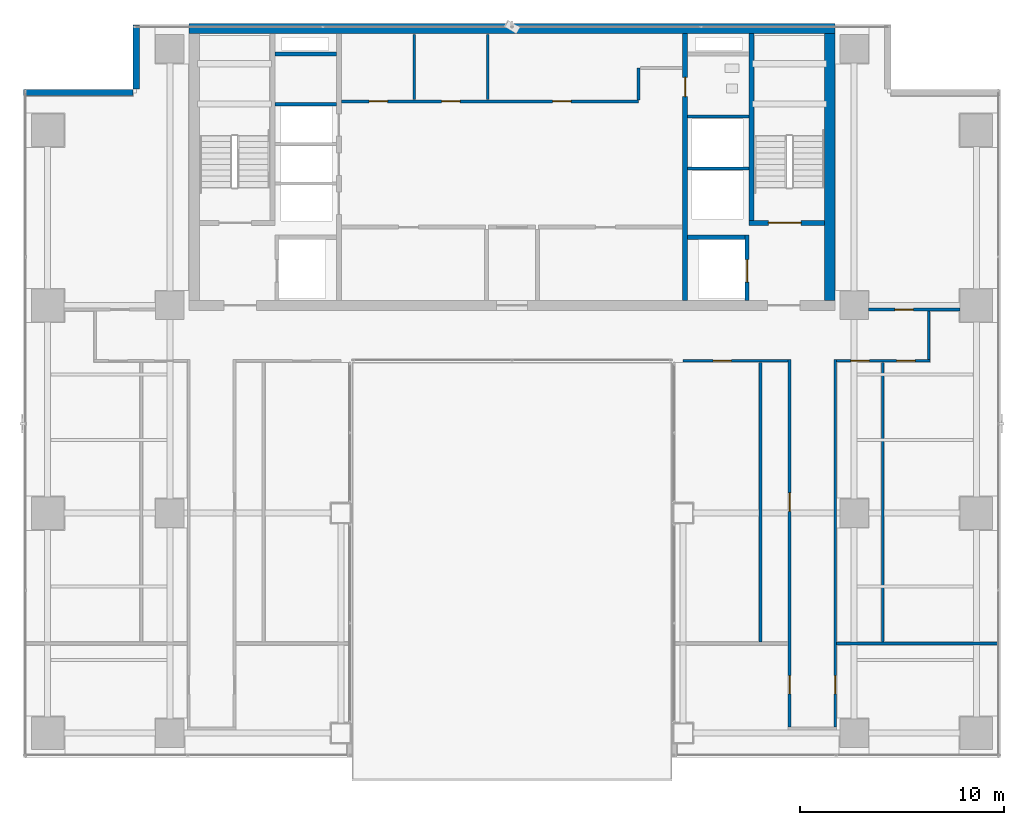
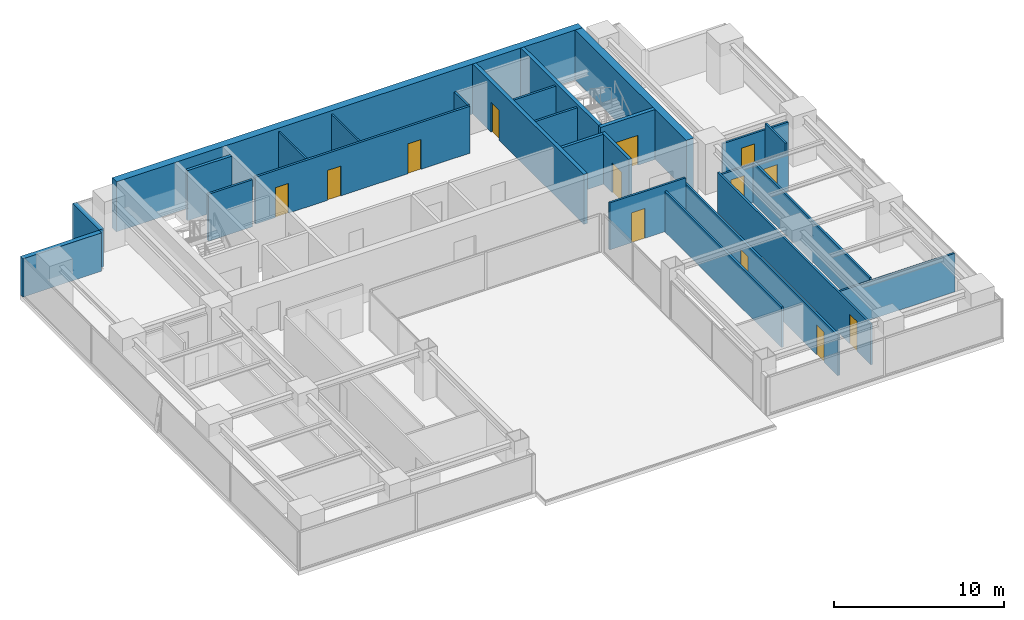
# One storey, part 25 of 30: 26 walls, 13 doors, 13 openings.
"""IFC4 building model written with IfcOpenShell, lengths in metres."""

from ifc_helpers import new_model, si_unit, direction, frame, frame_2d, origin, place, context, subcontext, project, spatial, rectangle, extrude, source, transform, mapped, material, layer, layer_set, type_object, element, fill, save


model = new_model("IFC4")

# Units and contexts
model_context = context("Model", 3, precision=1e-05, world=origin(), true_north=direction((0.0, 1.0)))
body_context = subcontext(model_context, "Body", "Model", "MODEL_VIEW")
ifc_project = project(units=[si_unit("LENGTHUNIT", "METRE"), si_unit("AREAUNIT", "SQUARE_METRE"), si_unit("VOLUMEUNIT", "CUBIC_METRE"), si_unit("PLANEANGLEUNIT", "RADIAN"), si_unit("MASSUNIT", "GRAM", prefix="KILO")], contexts=[model_context])

# Site, building, storey
site_placement = place(None, origin())
site = spatial("IfcSite", under=ifc_project, at=site_placement, CompositionType="ELEMENT")
building_placement = place(site_placement, origin())
building = spatial("IfcBuilding", under=site, at=building_placement, Name="Sumidabori Civic Tower", CompositionType="ELEMENT")
storey_placement = place(building_placement, frame((0.0, 0.0, 196.39990234375)))
storey = spatial("IfcBuildingStorey", under=building, at=storey_placement, Name="L50", CompositionType="ELEMENT", Elevation=196.39990234375)

# Walls
ifc_material_1 = material(Name="Concrete C50/60", Category="concrete")
ifc_layer_1 = layer(ifc_material_1, 0.199951171875, Name="Concrete C50/60")
ifc_layer_set_1 = layer_set([ifc_layer_1], Name="Concrete C50/60")
wall_type_1 = type_object("IfcWallType", Name="WL-SHAFT-200", PredefinedType="SHEAR", material=ifc_layer_set_1)
shared_shape_1 = source(origin(), body_context, "Body", "SweptSolid", [
    extrude(rectangle(XDim=2.824951171875, YDim=0.199951171875, at=frame_2d((1.41259765625, 0.0))), origin(), (0.0, 0.0, 1.0), 3.60009765625),
])
wall_1_placement = place(storey_placement, frame((8.625, 13.550048828125, 0.0), z_axis=(0.0, 0.0, 1.0), x_axis=(1.0, 0.0, 0.0)))
element("IfcWall", 1, at=wall_1_placement, inside=storey, type_object=wall_type_1, Name="Core Shear Wall L50 EL2-N", PredefinedType="SHEAR", context=body_context, shape_type="MappedRepresentation", body=[
    mapped(shared_shape_1, transform((0.0, 0.0, 0.0), x_axis=(1.0, 0.0, 0.0), y_axis=(0.0, 1.0, 0.0), z_axis=(0.0, 0.0, 1.0), scale=1.0)),
])
shared_shape_2 = source(origin(), body_context, "Body", "SweptSolid", [
    extrude(rectangle(XDim=3.02001953125, YDim=0.199951171875, at=frame_2d((1.510009765625, 0.0))), origin(), (0.0, 0.0, 1.0), 3.60009765625),
])
wall_2_placement = place(storey_placement, frame((-11.64501953125, 22.550048828125, 0.0), z_axis=(0.0, 0.0, 1.0), x_axis=(1.0, 0.0, 0.0)))
element("IfcWall", 2, at=wall_2_placement, inside=storey, type_object=wall_type_1, Name="Core Shear Wall L50 RIS1-S", PredefinedType="SHEAR", context=body_context, shape_type="MappedRepresentation", body=[
    mapped(shared_shape_2, transform((0.0, 0.0, 0.0), x_axis=(1.0, 0.0, 0.0), y_axis=(0.0, 1.0, 0.0), z_axis=(0.0, 0.0, 1.0), scale=1.0)),
])
ifc_layer_2 = layer(ifc_material_1, 0.5, Name="Concrete C50/60")
ifc_layer_set_2 = layer_set([ifc_layer_2], Name="Concrete C50/60")
wall_type_2 = type_object("IfcWallType", Name="WL-CORE-500", PredefinedType="SHEAR", material=ifc_layer_set_2)
shared_shape_3 = source(origin(), body_context, "Body", "SweptSolid", [
    extrude(rectangle(XDim=31.7001953125, YDim=0.5, at=frame_2d((15.85009765625, 0.0))), origin(), (0.0, 0.0, 1.0), 3.60009765625),
])
wall_3_placement = place(storey_placement, frame((-15.85009765625, 23.800048828125, 0.0), z_axis=(0.0, 0.0, 1.0), x_axis=(1.0, 0.0, 0.0)))
element("IfcWall", 3, at=wall_3_placement, inside=storey, type_object=wall_type_2, Name="Core Shear Wall L50 N", PredefinedType="SHEAR", context=body_context, shape_type="MappedRepresentation", body=[
    mapped(shared_shape_3, transform((0.0, 0.0, 0.0), x_axis=(1.0, 0.0, 0.0), y_axis=(0.0, 1.0, 0.0), z_axis=(0.0, 0.0, 1.0), scale=1.0)),
])
shared_shape_4 = source(origin(), body_context, "Body", "SweptSolid", [
    extrude(rectangle(XDim=13.10009765625, YDim=0.5, at=frame_2d((6.550048828125, 0.0))), origin(), (0.0, 0.0, 1.0), 3.60009765625),
])
wall_4_placement = place(storey_placement, frame((15.60009765625, 10.449951171875, 0.0), z_axis=(0.0, 0.0, 1.0), x_axis=(0.0, 1.0, 0.0)))
element("IfcWall", 4, at=wall_4_placement, inside=storey, type_object=wall_type_2, Name="Core Shear Wall L50 E", PredefinedType="SHEAR", context=body_context, shape_type="MappedRepresentation", body=[
    mapped(shared_shape_4, transform((0.0, 0.0, 0.0), x_axis=(1.0, 0.0, 0.0), y_axis=(0.0, 1.0, 0.0), z_axis=(0.0, 0.0, 1.0), scale=1.0)),
])

# Wall, opening, door
ifc_layer_3 = layer(ifc_material_1, 0.25, Name="Concrete C50/60")
ifc_layer_set_3 = layer_set([ifc_layer_3], Name="Concrete C50/60")
wall_type_3 = type_object("IfcWallType", Name="WL-SHAFT-250", PredefinedType="SHEAR", material=ifc_layer_set_3)
shared_shape_5 = source(origin(), body_context, "Body", "SweptSolid", [
    extrude(rectangle(XDim=13.10009765625, YDim=0.25, at=frame_2d((6.550048828125, 0.0))), origin(), (0.0, 0.0, 1.0), 3.60009765625),
])
wall_5_placement = place(storey_placement, frame((8.5, 10.449951171875, 0.0), z_axis=(0.0, 0.0, 1.0), x_axis=(0.0, 1.0, 0.0)))
wall_5 = element("IfcWall", 5, at=wall_5_placement, inside=storey, type_object=wall_type_3, Name="Core Shear Wall L50 WEB-E", PredefinedType="SHEAR", context=body_context, shape_type="MappedRepresentation", body=[
    mapped(shared_shape_5, transform((0.0, 0.0, 0.0), x_axis=(1.0, 0.0, 0.0), y_axis=(0.0, 1.0, 0.0), z_axis=(0.0, 0.0, 1.0), scale=1.0)),
])
opening_1_placement = place(wall_5_placement, frame((10.0, 0.0, 0.0)))
opening_1 = element("IfcOpeningElement", 6, at=opening_1_placement, cuts=wall_5, Name="Opening DR-2", PredefinedType="OPENING", context=body_context, shape_type="SweptSolid", body=[
    extrude(rectangle(XDim=0.949951171875, YDim=2.14990234375, at=frame_2d((0.47509765625, 1.074951171875))), frame((0.0, 0.136962890625, 0.0), z_axis=(0.0, -1.0, 0.0), x_axis=(1.0, 0.0, 0.0)), (0.0, 0.0, 1.0), 0.27392578125),
])
ifc_material_2 = material(Name="Japanese Hinoki Timber", Category="wood")
door_type_1 = type_object("IfcDoorType", Name="DR-INT-950", OperationType="NOTDEFINED", PredefinedType="DOOR", material=ifc_material_2)
shared_shape_6 = source(origin(), body_context, "Body", "SweptSolid", [
    extrude(rectangle(XDim=0.949951171875, YDim=2.14990234375, at=frame_2d((0.47509765625, 1.074951171875))), frame((0.0, 0.02490234375, 0.0), z_axis=(0.0, -1.0, 0.0), x_axis=(1.0, 0.0, 0.0)), (0.0, 0.0, 1.0), 0.050048828125),
])
door_1_placement = place(opening_1_placement, origin())
door_1 = element("IfcDoor", 7, at=door_1_placement, inside=storey, type_object=door_type_1, Name="Door DR:L50:WC-ACC", OperationType="SINGLE_SWING_RIGHT", OverallHeight=2.14990234375, OverallWidth=0.949951171875, PredefinedType="DOOR", context=body_context, shape_type="MappedRepresentation", body=[
    mapped(shared_shape_6, transform((0.0, 0.0, 0.0), x_axis=(1.0, 0.0, 0.0), y_axis=(0.0, 1.0, 0.0), z_axis=(0.0, 0.0, 1.0), scale=1.0)),
])
fill(opening_1, door_1)

shared_shape_7 = source(origin(), body_context, "Body", "SweptSolid", [
    extrude(rectangle(XDim=3.705078125, YDim=0.25, at=frame_2d((1.8525390625, 0.0))), origin(), (0.0, 0.0, 1.0), 3.60009765625),
])
wall_6_placement = place(storey_placement, frame((11.64501953125, 14.25, 0.0), z_axis=(0.0, 0.0, 1.0), x_axis=(1.0, 0.0, 0.0)))
wall_6 = element("IfcWall", 8, at=wall_6_placement, inside=storey, type_object=wall_type_3, Name="Core Shear Wall L50 ST2-S", PredefinedType="SHEAR", context=body_context, shape_type="MappedRepresentation", body=[
    mapped(shared_shape_7, transform((0.0, 0.0, 0.0), x_axis=(1.0, 0.0, 0.0), y_axis=(0.0, 1.0, 0.0), z_axis=(0.0, 0.0, 1.0), scale=1.0)),
])
opening_2_placement = place(wall_6_placement, frame((0.949951171875, 0.0, 0.0)))
opening_2 = element("IfcOpeningElement", 9, at=opening_2_placement, cuts=wall_6, Name="Opening DR-FD4", PredefinedType="OPENING", context=body_context, shape_type="SweptSolid", body=[
    extrude(rectangle(XDim=1.60009765625, YDim=2.14990234375, at=frame_2d((0.800048828125, 1.074951171875))), frame((0.0, 0.136962890625, 0.0), z_axis=(0.0, -1.0, 0.0), x_axis=(1.0, 0.0, 0.0)), (0.0, 0.0, 1.0), 0.27392578125),
])
ifc_material_3 = material(Name="Steel SN490", Category="steel")
door_type_2 = type_object("IfcDoorType", Name="DR-FD4", OperationType="DOUBLE_DOOR_SINGLE_SWING", PredefinedType="DOOR", material=ifc_material_3)
shared_shape_8 = source(origin(), body_context, "Body", "SweptSolid", [
    extrude(rectangle(XDim=1.60009765625, YDim=2.14990234375, at=frame_2d((0.800048828125, 1.074951171875))), frame((0.0, 0.02490234375, 0.0), z_axis=(0.0, -1.0, 0.0), x_axis=(1.0, 0.0, 0.0)), (0.0, 0.0, 1.0), 0.050048828125),
])
door_2_placement = place(opening_2_placement, origin())
door_2 = element("IfcDoor", 10, at=door_2_placement, inside=storey, type_object=door_type_2, Name="Door DR:L50:ST2", OperationType="DOUBLE_DOOR_SINGLE_SWING", OverallHeight=2.14990234375, OverallWidth=1.60009765625, PredefinedType="DOOR", context=body_context, shape_type="MappedRepresentation", body=[
    mapped(shared_shape_8, transform((0.0, 0.0, 0.0), x_axis=(1.0, 0.0, 0.0), y_axis=(0.0, 1.0, 0.0), z_axis=(0.0, 0.0, 1.0), scale=1.0)),
])
fill(opening_2, door_2)

# Wall
shared_shape_9 = source(origin(), body_context, "Body", "SweptSolid", [
    extrude(rectangle(XDim=9.175048828125, YDim=0.25, at=frame_2d((4.58740234375, 0.0))), origin(), (0.0, 0.0, 1.0), 3.60009765625),
])
wall_7_placement = place(storey_placement, frame((11.77001953125, 14.375, 0.0), z_axis=(0.0, 0.0, 1.0), x_axis=(0.0, 1.0, 0.0)))
element("IfcWall", 11, at=wall_7_placement, inside=storey, type_object=wall_type_3, Name="Core Shear Wall L50 ST2-W", PredefinedType="SHEAR", context=body_context, shape_type="MappedRepresentation", body=[
    mapped(shared_shape_9, transform((0.0, 0.0, 0.0), x_axis=(1.0, 0.0, 0.0), y_axis=(0.0, 1.0, 0.0), z_axis=(0.0, 0.0, 1.0), scale=1.0)),
])

# Wall, opening, door
shared_shape_10 = source(origin(), body_context, "Body", "SweptSolid", [
    extrude(rectangle(XDim=3.199951171875, YDim=0.199951171875, at=frame_2d((1.60009765625, 0.0))), origin(), (0.0, 0.0, 1.0), 3.60009765625),
])
wall_8_placement = place(storey_placement, frame((11.550048828125, 10.449951171875, 0.0), z_axis=(0.0, 0.0, 1.0), x_axis=(0.0, 1.0, 0.0)))
wall_8 = element("IfcWall", 12, at=wall_8_placement, inside=storey, type_object=wall_type_1, Name="Core Shear Wall L50 EL2-E", PredefinedType="SHEAR", context=body_context, shape_type="MappedRepresentation", body=[
    mapped(shared_shape_10, transform((0.0, 0.0, 0.0), x_axis=(1.0, 0.0, 0.0), y_axis=(0.0, 1.0, 0.0), z_axis=(0.0, 0.0, 1.0), scale=1.0)),
])
opening_3_placement = place(wall_8_placement, frame((0.89990234375, 0.0, 0.0)))
opening_3 = element("IfcOpeningElement", 13, at=opening_3_placement, cuts=wall_8, Name="Opening LD-2", PredefinedType="OPENING", context=body_context, shape_type="SweptSolid", body=[
    extrude(rectangle(XDim=1.10009765625, YDim=2.14990234375, at=frame_2d((0.550048828125, 1.074951171875))), frame((0.0, 0.11181640625, 0.0), z_axis=(0.0, -1.0, 0.0), x_axis=(1.0, 0.0, 0.0)), (0.0, 0.0, 1.0), 0.223876953125),
])
ifc_material_4 = material(Name="Stainless Steel Hairline Finish", Category="steel")
door_type_3 = type_object("IfcDoorType", Name="DR-LD2", OperationType="DOUBLE_DOOR_SLIDING", PredefinedType="DOOR", material=ifc_material_4)
shared_shape_11 = source(origin(), body_context, "Body", "SweptSolid", [
    extrude(rectangle(XDim=1.10009765625, YDim=2.14990234375, at=frame_2d((0.550048828125, 1.074951171875))), frame((0.0, 0.02490234375, 0.0), z_axis=(0.0, -1.0, 0.0), x_axis=(1.0, 0.0, 0.0)), (0.0, 0.0, 1.0), 0.050048828125),
])
door_3_placement = place(opening_3_placement, origin())
door_3 = element("IfcDoor", 14, at=door_3_placement, inside=storey, type_object=door_type_3, Name="Door DR:L50:LD-EL2", OperationType="DOUBLE_DOOR_SLIDING", OverallHeight=2.14990234375, OverallWidth=1.10009765625, PredefinedType="DOOR", context=body_context, shape_type="MappedRepresentation", body=[
    mapped(shared_shape_11, transform((0.0, 0.0, 0.0), x_axis=(1.0, 0.0, 0.0), y_axis=(0.0, 1.0, 0.0), z_axis=(0.0, 0.0, 1.0), scale=1.0)),
])
fill(opening_3, door_3)

# Walls
ifc_material_5 = material(Name="Precast concrete C40/50", Category="concrete")
ifc_layer_4 = layer(ifc_material_5, 0.300048828125, Name="Precast concrete C40/50")
ifc_layer_set_4 = layer_set([ifc_layer_4], Name="Precast concrete C40/50")
wall_type_4 = type_object("IfcWallType", Name="WL-EXT-POD300", PredefinedType="STANDARD", material=ifc_layer_set_4)
shared_shape_12 = source(origin(), body_context, "Body", "SweptSolid", [
    extrude(rectangle(XDim=5.35986328125, YDim=0.300048828125, at=frame_2d((2.679931640625, 0.0))), origin(), (0.0, 0.0, 1.0), 2.760009765625),
])
wall_9_placement = place(storey_placement, frame((-18.6201171875, 20.64990234375, 0.0), z_axis=(0.0, 0.0, 1.0), x_axis=(-1.0, 0.0, 0.0)))
element("IfcWall", 15, at=wall_9_placement, inside=storey, type_object=wall_type_4, Name="Notched Corner Spandrel Band L50-15", PredefinedType="STANDARD", context=body_context, shape_type="MappedRepresentation", body=[
    mapped(shared_shape_12, transform((0.0, 0.0, 0.0), x_axis=(1.0, 0.0, 0.0), y_axis=(0.0, 1.0, 0.0), z_axis=(0.0, 0.0, 1.0), scale=1.0)),
])
shared_shape_13 = source(origin(), body_context, "Body", "SweptSolid", [
    extrude(rectangle(XDim=3.159912109375, YDim=0.300048828125, at=frame_2d((1.580078125, 0.0))), origin(), (0.0, 0.0, 1.0), 2.760009765625),
])
wall_10_placement = place(storey_placement, frame((-18.449951171875, 23.97998046875, 0.0), z_axis=(0.0, 0.0, 1.0), x_axis=(0.0, -1.0, 0.0)))
element("IfcWall", 16, at=wall_10_placement, inside=storey, type_object=wall_type_4, Name="Notched Corner Spandrel Band L50-14", PredefinedType="STANDARD", context=body_context, shape_type="MappedRepresentation", body=[
    mapped(shared_shape_13, transform((0.0, 0.0, 0.0), x_axis=(1.0, 0.0, 0.0), y_axis=(0.0, 1.0, 0.0), z_axis=(0.0, 0.0, 1.0), scale=1.0)),
])
ifc_material_6 = material(Name="Gypsum Plasterboard Acoustic Partition")
ifc_layer_5 = layer(ifc_material_6, 0.14990234375, Name="Gypsum Plasterboard Acoustic Partition")
ifc_layer_set_5 = layer_set([ifc_layer_5], Name="Gypsum Plasterboard Acoustic Partition")
wall_type_5 = type_object("IfcWallType", Name="WL-PART-150", PredefinedType="PARTITIONING", material=ifc_layer_set_5)
shared_shape_14 = source(origin(), body_context, "Body", "SweptSolid", [
    extrude(rectangle(XDim=3.010009765625, YDim=0.14990234375, at=frame_2d((1.5048828125, 0.0))), origin(), (0.0, 0.0, 1.0), 3.380126953125),
])
for number, where, z_axis, x_axis, name in (
    (17, (-11.639892578125, 20.080078125, 0.0), (0.0, 0.0, 1.0), (1.0, 0.0, 0.0), "Interior Partition WL:L50:DIV-PLH3"),
    (18, (8.6298828125, 16.919921875, 0.0), (0.0, 0.0, 1.0), (1.0, 0.0, 0.0), "Interior Partition WL:L50:DIV-OBS1"),
    (19, (8.6298828125, 19.469970703125, 0.0), (0.0, 0.0, 1.0), (1.0, 0.0, 0.0), "Interior Partition WL:L50:DIV-OBS2"),
):
    element("IfcWall", number, at=place(storey_placement, frame(where, z_axis=z_axis, x_axis=x_axis)), inside=storey, type_object=wall_type_5, Name=name, PredefinedType="PARTITIONING", context=body_context, shape_type="MappedRepresentation", body=[
        mapped(shared_shape_14, transform((0.0, 0.0, 0.0), x_axis=(1.0, 0.0, 0.0), y_axis=(0.0, 1.0, 0.0), z_axis=(0.0, 0.0, 1.0), scale=1.0)),
    ])

# Wall, openings, doors
shared_shape_15 = source(origin(), body_context, "Body", "SweptSolid", [
    extrude(rectangle(XDim=14.590087890625, YDim=0.14990234375, at=frame_2d((7.294921875, 0.0))), origin(), (0.0, 0.0, 1.0), 3.380126953125),
])
wall_11_placement = place(storey_placement, frame((-8.3701171875, 20.219970703125, 0.0), z_axis=(0.0, 0.0, 1.0), x_axis=(1.0, 0.0, 0.0)))
wall_11 = element("IfcWall", 20, at=wall_11_placement, inside=storey, type_object=wall_type_5, Name="Interior Partition WL:L50:CBAND-M", PredefinedType="PARTITIONING", context=body_context, shape_type="MappedRepresentation", body=[
    mapped(shared_shape_15, transform((0.0, 0.0, 0.0), x_axis=(1.0, 0.0, 0.0), y_axis=(0.0, 1.0, 0.0), z_axis=(0.0, 0.0, 1.0), scale=1.0)),
])
opening_4_placement = place(wall_11_placement, frame((1.360107421875, 0.0, 0.0)))
opening_4 = element("IfcOpeningElement", 21, at=opening_4_placement, cuts=wall_11, Name="Opening DR-1", PredefinedType="OPENING", context=body_context, shape_type="SweptSolid", body=[
    extrude(rectangle(XDim=0.89990234375, YDim=2.14990234375, at=frame_2d((0.449951171875, 1.074951171875))), frame((0.0, 0.0869140625, 0.0), z_axis=(0.0, -1.0, 0.0), x_axis=(1.0, 0.0, 0.0)), (0.0, 0.0, 1.0), 0.173828125),
])
opening_5_placement = place(wall_11_placement, frame((4.919921875, 0.0, 0.0)))
opening_5 = element("IfcOpeningElement", 22, at=opening_5_placement, cuts=wall_11, Name="Opening DR-1", PredefinedType="OPENING", context=body_context, shape_type="SweptSolid", body=[
    extrude(rectangle(XDim=0.89990234375, YDim=2.14990234375, at=frame_2d((0.449951171875, 1.074951171875))), frame((0.0, 0.0869140625, 0.0), z_axis=(0.0, -1.0, 0.0), x_axis=(1.0, 0.0, 0.0)), (0.0, 0.0, 1.0), 0.173828125),
])
opening_6_placement = place(wall_11_placement, frame((10.3701171875, 0.0, 0.0)))
opening_6 = element("IfcOpeningElement", 23, at=opening_6_placement, cuts=wall_11, Name="Opening DR-1", PredefinedType="OPENING", context=body_context, shape_type="SweptSolid", body=[
    extrude(rectangle(XDim=0.89990234375, YDim=2.14990234375, at=frame_2d((0.449951171875, 1.074951171875))), frame((0.0, 0.0869140625, 0.0), z_axis=(0.0, -1.0, 0.0), x_axis=(1.0, 0.0, 0.0)), (0.0, 0.0, 1.0), 0.173828125),
])
door_type_4 = type_object("IfcDoorType", Name="DR-INT-900", OperationType="NOTDEFINED", PredefinedType="DOOR", material=ifc_material_2)
shared_shape_16 = source(origin(), body_context, "Body", "SweptSolid", [
    extrude(rectangle(XDim=0.89990234375, YDim=2.14990234375, at=frame_2d((0.449951171875, 1.074951171875))), frame((0.0, 0.02490234375, 0.0), z_axis=(0.0, -1.0, 0.0), x_axis=(1.0, 0.0, 0.0)), (0.0, 0.0, 1.0), 0.050048828125),
])
door_4_placement = place(opening_4_placement, origin())
door_4 = element("IfcDoor", 24, at=door_4_placement, inside=storey, type_object=door_type_4, Name="Door DR:L50:CB-1", OperationType="SINGLE_SWING_LEFT", OverallHeight=2.14990234375, OverallWidth=0.89990234375, PredefinedType="DOOR", context=body_context, shape_type="MappedRepresentation", body=[
    mapped(shared_shape_16, transform((0.0, 0.0, 0.0), x_axis=(1.0, 0.0, 0.0), y_axis=(0.0, 1.0, 0.0), z_axis=(0.0, 0.0, 1.0), scale=1.0)),
])
fill(opening_4, door_4)
door_5_placement = place(opening_5_placement, origin())
door_5 = element("IfcDoor", 25, at=door_5_placement, inside=storey, type_object=door_type_4, Name="Door DR:L50:CB-2", OperationType="SINGLE_SWING_RIGHT", OverallHeight=2.14990234375, OverallWidth=0.89990234375, PredefinedType="DOOR", context=body_context, shape_type="MappedRepresentation", body=[
    mapped(shared_shape_16, transform((0.0, 0.0, 0.0), x_axis=(1.0, 0.0, 0.0), y_axis=(0.0, 1.0, 0.0), z_axis=(0.0, 0.0, 1.0), scale=1.0)),
])
fill(opening_5, door_5)
door_6_placement = place(opening_6_placement, origin())
door_6 = element("IfcDoor", 26, at=door_6_placement, inside=storey, type_object=door_type_4, Name="Door DR:L50:CB-3", OperationType="SINGLE_SWING_LEFT", OverallHeight=2.14990234375, OverallWidth=0.89990234375, PredefinedType="DOOR", context=body_context, shape_type="MappedRepresentation", body=[
    mapped(shared_shape_16, transform((0.0, 0.0, 0.0), x_axis=(1.0, 0.0, 0.0), y_axis=(0.0, 1.0, 0.0), z_axis=(0.0, 0.0, 1.0), scale=1.0)),
])
fill(opening_6, door_6)

# Walls
shared_shape_17 = source(origin(), body_context, "Body", "SweptSolid", [
    extrude(rectangle(XDim=1.550048828125, YDim=0.14990234375, at=frame_2d((0.77490234375, 0.0))), origin(), (0.0, 0.0, 1.0), 3.380126953125),
])
wall_12_placement = place(storey_placement, frame((6.219970703125, 20.300048828125, 0.0), z_axis=(0.0, 0.0, 1.0), x_axis=(0.0, 1.0, 0.0)))
element("IfcWall", 27, at=wall_12_placement, inside=storey, type_object=wall_type_5, Name="Interior Partition WL:L50:CBAND-ME1", PredefinedType="PARTITIONING", context=body_context, shape_type="MappedRepresentation", body=[
    mapped(shared_shape_17, transform((0.0, 0.0, 0.0), x_axis=(1.0, 0.0, 0.0), y_axis=(0.0, 1.0, 0.0), z_axis=(0.0, 0.0, 1.0), scale=1.0)),
])
ifc_layer_6 = layer(ifc_material_6, 0.1201171875, Name="Gypsum Plasterboard Acoustic Partition")
ifc_layer_set_6 = layer_set([ifc_layer_6], Name="Gypsum Plasterboard Acoustic Partition")
wall_type_6 = type_object("IfcWallType", Name="WL-PART-120", PredefinedType="PARTITIONING", material=ifc_layer_set_6)
shared_shape_18 = source(origin(), body_context, "Body", "SweptSolid", [
    extrude(rectangle(XDim=3.18994140625, YDim=0.1201171875, at=frame_2d((1.594970703125, 0.0))), origin(), (0.0, 0.0, 1.0), 3.380126953125),
])
for number, where, z_axis, x_axis, name in (
    (28, (-4.800048828125, 20.320068359375, 0.0), (0.0, 0.0, 1.0), (0.0, 1.0, 0.0), "Interior Partition WL:L50:LV8-S1"),
    (29, (-1.199951171875, 20.320068359375, 0.0), (0.0, 0.0, 1.0), (0.0, 1.0, 0.0), "Interior Partition WL:L50:LV8-S2"),
):
    element("IfcWall", number, at=place(storey_placement, frame(where, z_axis=z_axis, x_axis=x_axis)), inside=storey, type_object=wall_type_6, Name=name, PredefinedType="PARTITIONING", context=body_context, shape_type="MappedRepresentation", body=[
        mapped(shared_shape_18, transform((0.0, 0.0, 0.0), x_axis=(1.0, 0.0, 0.0), y_axis=(0.0, 1.0, 0.0), z_axis=(0.0, 0.0, 1.0), scale=1.0)),
    ])

# Wall, opening, door
ifc_layer_7 = layer(ifc_material_6, 0.135009765625, Name="Gypsum Plasterboard Acoustic Partition")
ifc_layer_set_7 = layer_set([ifc_layer_7], Name="Gypsum Plasterboard Acoustic Partition")
wall_type_7 = type_object("IfcWallType", Name="WL-PART-135", PredefinedType="PARTITIONING", material=ifc_layer_set_7)
shared_shape_19 = source(origin(), body_context, "Body", "SweptSolid", [
    extrude(rectangle(XDim=4.47998046875, YDim=0.135009765625, at=frame_2d((2.239990234375, 0.0))), origin(), (0.0, 0.0, 1.0), 2.9150390625),
])
wall_13_placement = place(storey_placement, frame((17.510009765625, 10.0, 0.0), z_axis=(0.0, 0.0, 1.0), x_axis=(1.0, 0.0, 0.0)))
wall_13 = element("IfcWall", 30, at=wall_13_placement, inside=storey, type_object=wall_type_7, Name="Interior Partition WL:L50:FLK-NE", PredefinedType="PARTITIONING", context=body_context, shape_type="MappedRepresentation", body=[
    mapped(shared_shape_19, transform((0.0, 0.0, 0.0), x_axis=(1.0, 0.0, 0.0), y_axis=(0.0, 1.0, 0.0), z_axis=(0.0, 0.0, 1.0), scale=1.0)),
])
opening_7_placement = place(wall_13_placement, frame((1.294921875, 0.0, 0.0)))
opening_7 = element("IfcOpeningElement", 31, at=opening_7_placement, cuts=wall_13, Name="Opening DR-1", PredefinedType="OPENING", context=body_context, shape_type="SweptSolid", body=[
    extrude(rectangle(XDim=0.89990234375, YDim=2.14990234375, at=frame_2d((0.449951171875, 1.074951171875))), frame((0.0, 0.07958984375, 0.0), z_axis=(0.0, -1.0, 0.0), x_axis=(1.0, 0.0, 0.0)), (0.0, 0.0, 1.0), 0.158935546875),
])
door_7_placement = place(opening_7_placement, origin())
door_7 = element("IfcDoor", 32, at=door_7_placement, inside=storey, type_object=door_type_4, Name="Door DR:L50:FLK-NE", OperationType="SINGLE_SWING_RIGHT", OverallHeight=2.14990234375, OverallWidth=0.89990234375, PredefinedType="DOOR", context=body_context, shape_type="MappedRepresentation", body=[
    mapped(shared_shape_16, transform((0.0, 0.0, 0.0), x_axis=(1.0, 0.0, 0.0), y_axis=(0.0, 1.0, 0.0), z_axis=(0.0, 0.0, 1.0), scale=1.0)),
])
fill(opening_7, door_7)

# Wall, openings, doors
shared_shape_20 = source(origin(), body_context, "Body", "SweptSolid", [
    extrude(rectangle(XDim=4.599853515625, YDim=0.135009765625, at=frame_2d((2.2998046875, 0.0))), origin(), (0.0, 0.0, 1.0), 2.76513671875),
])
wall_14_placement = place(storey_placement, frame((15.93505859375, 7.482421875, 0.0), z_axis=(0.0, 0.0, 1.0), x_axis=(1.0, 0.0, 0.0)))
wall_14 = element("IfcWall", 33, at=wall_14_placement, inside=storey, type_object=wall_type_7, Name="Interior Partition WL:L50:CORR-SEO", PredefinedType="PARTITIONING", context=body_context, shape_type="MappedRepresentation", body=[
    mapped(shared_shape_20, transform((0.0, 0.0, 0.0), x_axis=(1.0, 0.0, 0.0), y_axis=(0.0, 1.0, 0.0), z_axis=(0.0, 0.0, 1.0), scale=1.0)),
])
opening_8_placement = place(wall_14_placement, frame((2.956298828125, 0.0, 0.0)))
opening_8 = element("IfcOpeningElement", 34, at=opening_8_placement, cuts=wall_14, Name="Opening DR-1", PredefinedType="OPENING", context=body_context, shape_type="SweptSolid", body=[
    extrude(rectangle(XDim=0.89990234375, YDim=2.14990234375, at=frame_2d((0.449951171875, 1.074951171875))), frame((0.0, 0.07958984375, 0.0), z_axis=(0.0, -1.0, 0.0), x_axis=(1.0, 0.0, 0.0)), (0.0, 0.0, 1.0), 0.158935546875),
])
opening_9_placement = place(wall_14_placement, frame((0.708740234375, 0.0, 0.0)))
opening_9 = element("IfcOpeningElement", 35, at=opening_9_placement, cuts=wall_14, Name="Opening DR-1", PredefinedType="OPENING", context=body_context, shape_type="SweptSolid", body=[
    extrude(rectangle(XDim=0.89990234375, YDim=2.14990234375, at=frame_2d((0.449951171875, 1.074951171875))), frame((0.0, 0.07958984375, 0.0), z_axis=(0.0, -1.0, 0.0), x_axis=(1.0, 0.0, 0.0)), (0.0, 0.0, 1.0), 0.158935546875),
])
door_8_placement = place(opening_8_placement, origin())
door_8 = element("IfcDoor", 36, at=door_8_placement, inside=storey, type_object=door_type_4, Name="Door DR:L50:D04", OperationType="SINGLE_SWING_RIGHT", OverallHeight=2.14990234375, OverallWidth=0.89990234375, PredefinedType="DOOR", context=body_context, shape_type="MappedRepresentation", body=[
    mapped(shared_shape_16, transform((0.0, 0.0, 0.0), x_axis=(1.0, 0.0, 0.0), y_axis=(0.0, 1.0, 0.0), z_axis=(0.0, 0.0, 1.0), scale=1.0)),
])
fill(opening_8, door_8)
door_9_placement = place(opening_9_placement, origin())
door_9 = element("IfcDoor", 37, at=door_9_placement, inside=storey, type_object=door_type_4, Name="Door DR:L50:D08", OperationType="SINGLE_SWING_RIGHT", OverallHeight=2.14990234375, OverallWidth=0.89990234375, PredefinedType="DOOR", context=body_context, shape_type="MappedRepresentation", body=[
    mapped(shared_shape_16, transform((0.0, 0.0, 0.0), x_axis=(1.0, 0.0, 0.0), y_axis=(0.0, 1.0, 0.0), z_axis=(0.0, 0.0, 1.0), scale=1.0)),
])
fill(opening_9, door_9)

# Wall, opening, door
shared_shape_21 = source(origin(), body_context, "Body", "SweptSolid", [
    extrude(rectangle(XDim=5.1650390625, YDim=0.135009765625, at=frame_2d((2.58251953125, 0.0))), origin(), (0.0, 0.0, 1.0), 3.380126953125),
])
wall_15_placement = place(storey_placement, frame((8.39990234375, 7.482421875, 0.0), z_axis=(0.0, 0.0, 1.0), x_axis=(1.0, 0.0, 0.0)))
wall_15 = element("IfcWall", 38, at=wall_15_placement, inside=storey, type_object=wall_type_7, Name="Interior Partition WL:L50:CORR-SEI", PredefinedType="PARTITIONING", context=body_context, shape_type="MappedRepresentation", body=[
    mapped(shared_shape_21, transform((0.0, 0.0, 0.0), x_axis=(1.0, 0.0, 0.0), y_axis=(0.0, 1.0, 0.0), z_axis=(0.0, 0.0, 1.0), scale=1.0)),
])
opening_10_placement = place(wall_15_placement, frame((1.476318359375, 0.0, 0.0)))
opening_10 = element("IfcOpeningElement", 39, at=opening_10_placement, cuts=wall_15, Name="Opening DR-1", PredefinedType="OPENING", context=body_context, shape_type="SweptSolid", body=[
    extrude(rectangle(XDim=0.89990234375, YDim=2.14990234375, at=frame_2d((0.449951171875, 1.074951171875))), frame((0.0, 0.07958984375, 0.0), z_axis=(0.0, -1.0, 0.0), x_axis=(1.0, 0.0, 0.0)), (0.0, 0.0, 1.0), 0.158935546875),
])
door_10_placement = place(opening_10_placement, origin())
door_10 = element("IfcDoor", 40, at=door_10_placement, inside=storey, type_object=door_type_4, Name="Door DR:L50:D07", OperationType="SINGLE_SWING_LEFT", OverallHeight=2.14990234375, OverallWidth=0.89990234375, PredefinedType="DOOR", context=body_context, shape_type="MappedRepresentation", body=[
    mapped(shared_shape_16, transform((0.0, 0.0, 0.0), x_axis=(1.0, 0.0, 0.0), y_axis=(0.0, 1.0, 0.0), z_axis=(0.0, 0.0, 1.0), scale=1.0)),
])
fill(opening_10, door_10)

# Wall
shared_shape_22 = source(origin(), body_context, "Body", "SweptSolid", [
    extrude(rectangle(XDim=2.37255859375, YDim=0.135009765625, at=frame_2d((1.186279296875, 0.0))), origin(), (0.0, 0.0, 1.0), 3.380126953125),
])
wall_16_placement = place(storey_placement, frame((20.467529296875, 7.554931640625, 0.0), z_axis=(0.0, 0.0, 1.0), x_axis=(0.0, 1.0, 0.0)))
element("IfcWall", 41, at=wall_16_placement, inside=storey, type_object=wall_type_7, Name="Interior Partition WL:L50:CORR-VNE", PredefinedType="PARTITIONING", context=body_context, shape_type="MappedRepresentation", body=[
    mapped(shared_shape_22, transform((0.0, 0.0, 0.0), x_axis=(1.0, 0.0, 0.0), y_axis=(0.0, 1.0, 0.0), z_axis=(0.0, 0.0, 1.0), scale=1.0)),
])

# Wall, openings, doors
shared_shape_23 = source(origin(), body_context, "Body", "SweptSolid", [
    extrude(rectangle(XDim=18.045166015625, YDim=0.135009765625, at=frame_2d((9.0224609375, 0.0))), origin(), (0.0, 0.0, 1.0), 2.9150390625),
])
wall_17_placement = place(storey_placement, frame((13.632568359375, -10.4951171875, 0.0), z_axis=(0.0, 0.0, 1.0), x_axis=(0.0, 1.0, 0.0)))
wall_17 = element("IfcWall", 42, at=wall_17_placement, inside=storey, type_object=wall_type_7, Name="Interior Partition WL:L50:CORR-VPE-I", PredefinedType="PARTITIONING", context=body_context, shape_type="MappedRepresentation", body=[
    mapped(shared_shape_23, transform((0.0, 0.0, 0.0), x_axis=(1.0, 0.0, 0.0), y_axis=(0.0, 1.0, 0.0), z_axis=(0.0, 0.0, 1.0), scale=1.0)),
])
opening_11_placement = place(wall_17_placement, frame((10.586181640625, 0.0, 0.0)))
opening_11 = element("IfcOpeningElement", 43, at=opening_11_placement, cuts=wall_17, Name="Opening DR-1", PredefinedType="OPENING", context=body_context, shape_type="SweptSolid", body=[
    extrude(rectangle(XDim=0.89990234375, YDim=2.14990234375, at=frame_2d((0.449951171875, 1.074951171875))), frame((0.0, 0.07958984375, 0.0), z_axis=(0.0, -1.0, 0.0), x_axis=(1.0, 0.0, 0.0)), (0.0, 0.0, 1.0), 0.158935546875),
])
opening_12_placement = place(wall_17_placement, frame((1.623779296875, 0.0, 0.0)))
opening_12 = element("IfcOpeningElement", 44, at=opening_12_placement, cuts=wall_17, Name="Opening DR-1", PredefinedType="OPENING", context=body_context, shape_type="SweptSolid", body=[
    extrude(rectangle(XDim=0.89990234375, YDim=2.14990234375, at=frame_2d((0.449951171875, 1.074951171875))), frame((0.0, 0.07958984375, 0.0), z_axis=(0.0, -1.0, 0.0), x_axis=(1.0, 0.0, 0.0)), (0.0, 0.0, 1.0), 0.158935546875),
])
door_11_placement = place(opening_11_placement, origin())
door_11 = element("IfcDoor", 45, at=door_11_placement, inside=storey, type_object=door_type_4, Name="Door DR:L50:D10", OperationType="SINGLE_SWING_RIGHT", OverallHeight=2.14990234375, OverallWidth=0.89990234375, PredefinedType="DOOR", context=body_context, shape_type="MappedRepresentation", body=[
    mapped(shared_shape_16, transform((0.0, 0.0, 0.0), x_axis=(1.0, 0.0, 0.0), y_axis=(0.0, 1.0, 0.0), z_axis=(0.0, 0.0, 1.0), scale=1.0)),
])
fill(opening_11, door_11)
door_12_placement = place(opening_12_placement, origin())
door_12 = element("IfcDoor", 46, at=door_12_placement, inside=storey, type_object=door_type_4, Name="Door DR:L50:D14", OperationType="SINGLE_SWING_RIGHT", OverallHeight=2.14990234375, OverallWidth=0.89990234375, PredefinedType="DOOR", context=body_context, shape_type="MappedRepresentation", body=[
    mapped(shared_shape_16, transform((0.0, 0.0, 0.0), x_axis=(1.0, 0.0, 0.0), y_axis=(0.0, 1.0, 0.0), z_axis=(0.0, 0.0, 1.0), scale=1.0)),
])
fill(opening_12, door_12)

# Wall, opening, door
wall_18_placement = place(storey_placement, frame((15.867431640625, -10.4951171875, 0.0), z_axis=(0.0, 0.0, 1.0), x_axis=(0.0, 1.0, 0.0)))
wall_18 = element("IfcWall", 47, at=wall_18_placement, inside=storey, type_object=wall_type_7, Name="Interior Partition WL:L50:CORR-VPE-O", PredefinedType="PARTITIONING", context=body_context, shape_type="MappedRepresentation", body=[
    mapped(shared_shape_23, transform((0.0, 0.0, 0.0), x_axis=(1.0, 0.0, 0.0), y_axis=(0.0, 1.0, 0.0), z_axis=(0.0, 0.0, 1.0), scale=1.0)),
])
opening_13_placement = place(wall_18_placement, frame((1.623779296875, 0.0, 0.0)))
opening_13 = element("IfcOpeningElement", 48, at=opening_13_placement, cuts=wall_18, Name="Opening DR-1", PredefinedType="OPENING", context=body_context, shape_type="SweptSolid", body=[
    extrude(rectangle(XDim=0.89990234375, YDim=2.14990234375, at=frame_2d((0.449951171875, 1.074951171875))), frame((0.0, 0.07958984375, 0.0), z_axis=(0.0, -1.0, 0.0), x_axis=(1.0, 0.0, 0.0)), (0.0, 0.0, 1.0), 0.158935546875),
])
door_13_placement = place(opening_13_placement, origin())
door_13 = element("IfcDoor", 49, at=door_13_placement, inside=storey, type_object=door_type_4, Name="Door DR:L50:D12", OperationType="SINGLE_SWING_RIGHT", OverallHeight=2.14990234375, OverallWidth=0.89990234375, PredefinedType="DOOR", context=body_context, shape_type="MappedRepresentation", body=[
    mapped(shared_shape_16, transform((0.0, 0.0, 0.0), x_axis=(1.0, 0.0, 0.0), y_axis=(0.0, 1.0, 0.0), z_axis=(0.0, 0.0, 1.0), scale=1.0)),
])
fill(opening_13, door_13)

# Walls
shared_shape_24 = source(origin(), body_context, "Body", "SweptSolid", [
    extrude(rectangle(XDim=7.91015625, YDim=0.135009765625, at=frame_2d((3.955078125, 0.0))), origin(), (0.0, 0.0, 1.0), 2.76513671875),
])
wall_19_placement = place(storey_placement, frame((15.93994140625, -6.39990234375, 0.0), z_axis=(0.0, 0.0, 1.0), x_axis=(1.0, 0.0, 0.0)))
element("IfcWall", 50, at=wall_19_placement, inside=storey, type_object=wall_type_7, Name="Interior Partition WL:L50:BAND-YE-2", PredefinedType="PARTITIONING", context=body_context, shape_type="MappedRepresentation", body=[
    mapped(shared_shape_24, transform((0.0, 0.0, 0.0), x_axis=(1.0, 0.0, 0.0), y_axis=(0.0, 1.0, 0.0), z_axis=(0.0, 0.0, 1.0), scale=1.0)),
])
shared_shape_25 = source(origin(), body_context, "Body", "SweptSolid", [
    extrude(rectangle(XDim=13.7373046875, YDim=0.135009765625, at=frame_2d((6.86865234375, 0.0))), origin(), (0.0, 0.0, 1.0), 2.9150390625),
])
for number, where, z_axis, x_axis, name in (
    (51, (12.199951171875, -6.327392578125, 0.0), (0.0, 0.0, 1.0), (0.0, 1.0, 0.0), "Interior Partition WL:L50:VX-N3"),
    (52, (18.199951171875, -6.327392578125, 0.0), (0.0, 0.0, 1.0), (0.0, 1.0, 0.0), "Interior Partition WL:L50:VX-N4"),
):
    element("IfcWall", number, at=place(storey_placement, frame(where, z_axis=z_axis, x_axis=x_axis)), inside=storey, type_object=wall_type_7, Name=name, PredefinedType="PARTITIONING", context=body_context, shape_type="MappedRepresentation", body=[
        mapped(shared_shape_25, transform((0.0, 0.0, 0.0), x_axis=(1.0, 0.0, 0.0), y_axis=(0.0, 1.0, 0.0), z_axis=(0.0, 0.0, 1.0), scale=1.0)),
    ])

save(model, "model.ifc")
